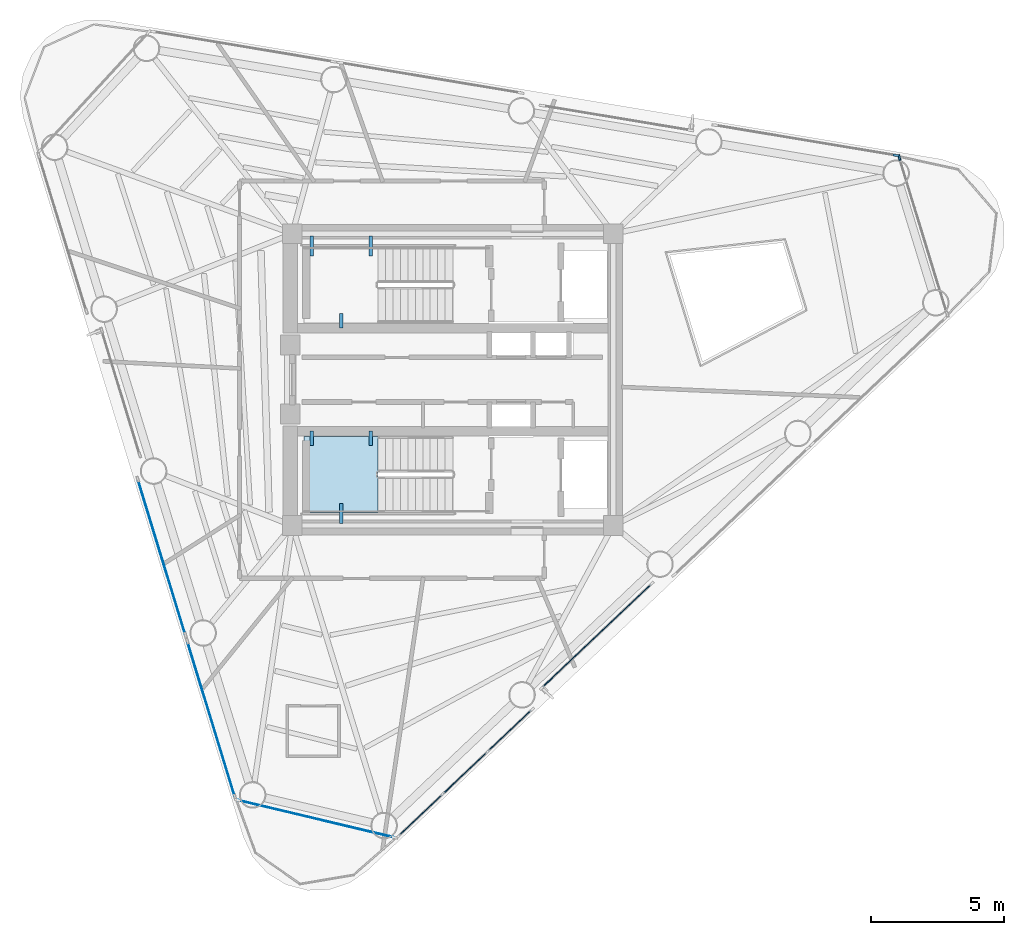
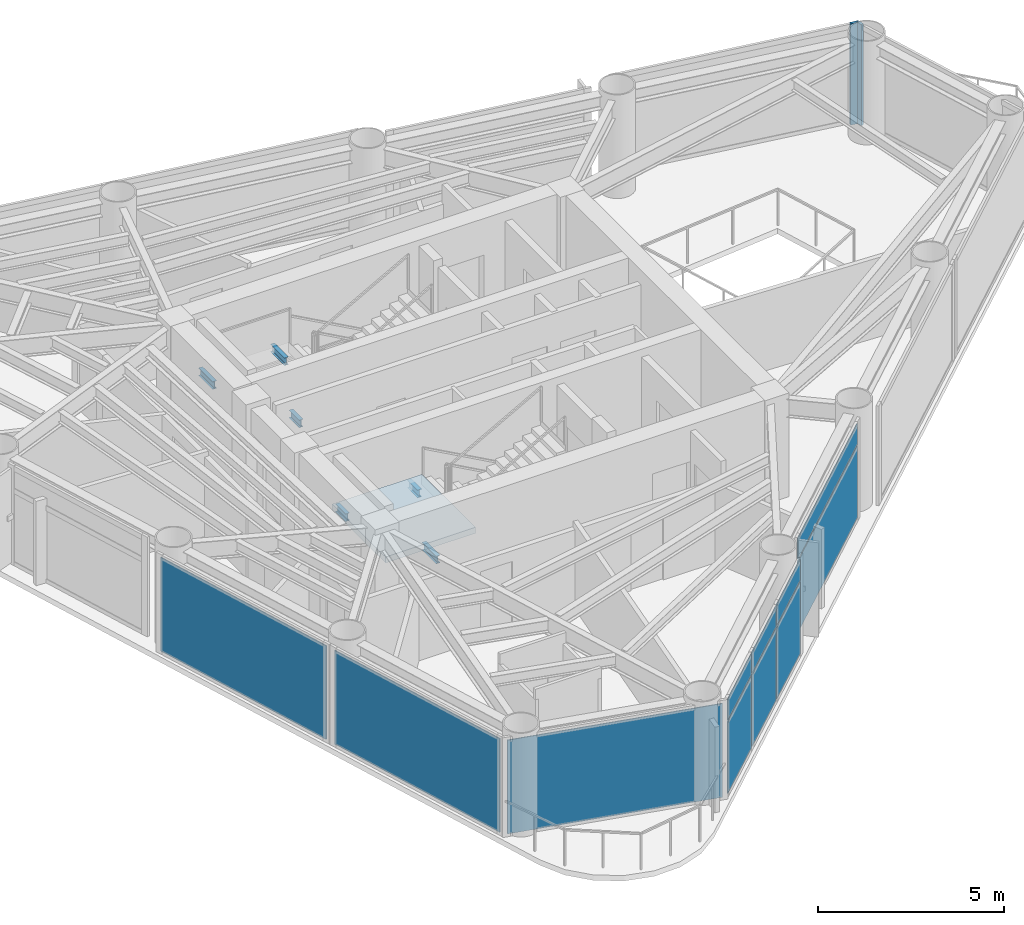
# One storey, part 4 of 9: 11 plates, 6 beams, 2 members, 1 slab, 8 elements without a shape of their own.
"""IFC4 building model written with IfcOpenShell, lengths in metres."""

import ifcopenshell
import ifcopenshell.guid

model = None  # the IFC model being written
_history = None  # IfcOwnerHistory: only IFC2X3 demands one
_inside = {}  # id of a spatial element -> (the spatial element, [elements in it])
_under = {}  # id of a project, library or spatial element -> (it, [spatial elements below it])
_declared = {}  # id of a project -> (the project, [libraries it declares])
_typed = {}  # id of a type object -> (the type object, [elements of that type])
_made_of = {}  # id of a material, layer set ... -> (it, [elements and type objects made of it])


def new_model(schema):
    """Start an empty IFC model of exactly this schema.

    Asked for "IFC4X3", IfcOpenShell would pick the latest addendum, in which some entities
    have other attributes; the version numbers below select the first issue.
    IFC2X3 requires an IfcOwnerHistory on every rooted entity: one is made here for all.
    """
    global model, _history
    if schema == "IFC4X3":
        model = ifcopenshell.file(schema_version=(4, 3, 0, 0))
    else:
        model = ifcopenshell.file(schema=schema)
    _inside.clear()
    _under.clear()
    _declared.clear()
    _typed.clear()
    _made_of.clear()
    _history = None
    if model.schema == "IFC2X3":
        org = make("IfcOrganization", Name="unknown")
        user = make(
            "IfcPersonAndOrganization",
            ThePerson=make("IfcPerson", FamilyName="unknown"),
            TheOrganization=org,
        )
        app = make(
            "IfcApplication",
            ApplicationDeveloper=org,
            Version="unknown",
            ApplicationFullName="unknown",
            ApplicationIdentifier="unknown",
        )
        _history = make(
            "IfcOwnerHistory",
            OwningUser=user,
            OwningApplication=app,
            ChangeAction="ADDED",
            CreationDate=0,
        )
    return model


def make(cls, **values):
    """One entity of the class cls with the attributes given. An attribute that is None is left unset."""
    return model.create_entity(
        cls, **{name: value for name, value in values.items() if value is not None}
    )


def rooted(cls, **values):
    """An entity with a GlobalId (a new one), such as an element, a storey or a relation."""
    return make(cls, GlobalId=ifcopenshell.guid.new(), OwnerHistory=_history, **values)


def si_unit(unit_type, name, prefix=None):
    """IfcSIUnit, for example si_unit("LENGTHUNIT", "METRE", prefix="MILLI")."""
    return make("IfcSIUnit", UnitType=unit_type, Prefix=prefix, Name=name)


def assignment(units):
    """IfcUnitAssignment: the units of a project."""
    return None if units is None else make("IfcUnitAssignment", Units=units)


def point(xyz):
    """IfcCartesianPoint."""
    return None if xyz is None else make("IfcCartesianPoint", Coordinates=xyz)


def direction(xyz):
    """IfcDirection."""
    return None if xyz is None else make("IfcDirection", DirectionRatios=xyz)


def frame(location, z_axis=None, x_axis=None):
    """IfcAxis2Placement3D, a coordinate frame: its origin and axes. An axis left out is left unset."""
    return make(
        "IfcAxis2Placement3D",
        Location=point(location),
        Axis=direction(z_axis),
        RefDirection=direction(x_axis),
    )


def frame_2d(location, x_axis=None):
    """IfcAxis2Placement2D, a coordinate frame in the plane: its origin and x axis."""
    return make(
        "IfcAxis2Placement2D", Location=point(location), RefDirection=direction(x_axis)
    )


def origin():
    """The frame at (0, 0, 0) with its axes left unset."""
    return frame((0.0, 0.0, 0.0))


def origin_2d():
    """The frame at (0, 0) in the plane with its x axis left unset."""
    return frame_2d((0.0, 0.0))


def place(relative_to, where):
    """IfcLocalPlacement: puts the frame where relative to a parent placement (None: the world)."""
    return make(
        "IfcLocalPlacement", PlacementRelTo=relative_to, RelativePlacement=where
    )


def context(
    kind, dimensions, precision=None, world=None, true_north=None, identifier=None
):
    """IfcGeometricRepresentationContext, for example the 3D "Model" context."""
    return make(
        "IfcGeometricRepresentationContext",
        ContextIdentifier=identifier,
        ContextType=kind,
        CoordinateSpaceDimension=dimensions,
        Precision=precision,
        WorldCoordinateSystem=world,
        TrueNorth=true_north,
    )


def subcontext(parent, identifier, kind, view, scale=None):
    """IfcGeometricRepresentationSubContext, for example "Body" below "Model"."""
    return make(
        "IfcGeometricRepresentationSubContext",
        ContextIdentifier=identifier,
        ContextType=kind,
        ParentContext=parent,
        TargetScale=scale,
        TargetView=view,
    )


def project(units=None, contexts=None):
    """IfcProject with its units and contexts."""
    return rooted(
        "IfcProject",
        Name="project",
        RepresentationContexts=contexts,
        UnitsInContext=assignment(units),
    )


def spatial(cls, under=None, at=None, **own):
    """A site, building, storey or space (cls), placed at a placement, below another one or the project."""
    s = rooted(cls, ObjectPlacement=at, **own)
    if under is not None:
        _under.setdefault(under.id(), (under, []))[1].append(s)
    return s


def polyline(points):
    """IfcPolyline through the points."""
    return make("IfcPolyline", Points=[point(p) for p in points])


def profile(cls, at=None, kind="AREA", **sizes):
    """A parametric profile (cls). Its sizes go by their IFC names, for example OverallWidth=200.0."""
    return make(cls, ProfileType=kind, Position=at, **sizes)


def rectangle(**sizes):
    """IfcRectangleProfileDef."""
    return profile("IfcRectangleProfileDef", **sizes)


def i_section(**sizes):
    """IfcIShapeProfileDef."""
    return profile("IfcIShapeProfileDef", **sizes)


def outline(outer, holes=None, kind="AREA"):
    """IfcArbitraryClosedProfileDef: a profile drawn as a closed curve; with holes, ...WithVoids."""
    if holes is None:
        return make("IfcArbitraryClosedProfileDef", ProfileType=kind, OuterCurve=outer)
    return make(
        "IfcArbitraryProfileDefWithVoids",
        ProfileType=kind,
        OuterCurve=outer,
        InnerCurves=holes,
    )


def extrude(swept, where, along, depth):
    """IfcExtrudedAreaSolid: the profile swept, set in the frame where, extruded along a direction by depth."""
    return make(
        "IfcExtrudedAreaSolid",
        SweptArea=swept,
        Position=where,
        ExtrudedDirection=direction(along),
        Depth=depth,
    )


def shape(context_of_items, identifier, shape_type, items):
    """IfcShapeRepresentation: the items that make up one representation, for example the "Body"."""
    return make(
        "IfcShapeRepresentation",
        ContextOfItems=context_of_items,
        RepresentationIdentifier=identifier,
        RepresentationType=shape_type,
        Items=items,
    )


def source(mapping_origin, context_of_items, identifier, shape_type, items):
    """IfcRepresentationMap: a shape defined once, which mapped items show again and again."""
    return make(
        "IfcRepresentationMap",
        MappingOrigin=mapping_origin,
        MappedRepresentation=shape(context_of_items, identifier, shape_type, items),
    )


def transform(
    local_origin,
    x_axis=None,
    y_axis=None,
    z_axis=None,
    scale=None,
    scale2=None,
    scale3=None,
    uniform=True,
):
    """IfcCartesianTransformationOperator3D, or its non-uniform kind. x_axis, y_axis, z_axis: its Axis1, 2, 3."""
    if uniform:
        return make(
            "IfcCartesianTransformationOperator3D",
            Axis1=direction(x_axis),
            Axis2=direction(y_axis),
            LocalOrigin=point(local_origin),
            Scale=scale,
            Axis3=direction(z_axis),
        )
    return make(
        "IfcCartesianTransformationOperator3DnonUniform",
        Axis1=direction(x_axis),
        Axis2=direction(y_axis),
        LocalOrigin=point(local_origin),
        Scale=scale,
        Axis3=direction(z_axis),
        Scale2=scale2,
        Scale3=scale3,
    )


def mapped(mapping_source, mapping_target):
    """IfcMappedItem: shows the shape of a source again, moved by a transform."""
    return make(
        "IfcMappedItem", MappingSource=mapping_source, MappingTarget=mapping_target
    )


def material(Name=None, Category=None):
    """IfcMaterial."""
    return make("IfcMaterial", Name=Name, Category=Category)


def layer(
    of_material, thickness, ventilated=None, Name=None, Category=None, Priority=None
):
    """IfcMaterialLayer: one layer of a wall or slab, of a material (None: an air gap)."""
    return make(
        "IfcMaterialLayer",
        Material=of_material,
        LayerThickness=thickness,
        IsVentilated=ventilated,
        Name=Name,
        Category=Category,
        Priority=Priority,
    )


def layer_set(layers, Name=None):
    """IfcMaterialLayerSet."""
    return make("IfcMaterialLayerSet", MaterialLayers=layers, LayerSetName=Name)


def material_profile(
    of_material, cross_section, Name=None, Category=None, Priority=None
):
    """IfcMaterialProfile: a cross section and its material."""
    return make(
        "IfcMaterialProfile",
        Name=Name,
        Material=of_material,
        Profile=cross_section,
        Priority=Priority,
        Category=Category,
    )


def profile_set(profiles, Name=None, composite=None):
    """IfcMaterialProfileSet."""
    return make(
        "IfcMaterialProfileSet",
        Name=Name,
        MaterialProfiles=profiles,
        CompositeProfile=composite,
    )


def made_of(thing, what):
    """Note that an element or type object is made of a material, layer set ...; save() writes the relation."""
    if what is not None:
        _made_of.setdefault(what.id(), (what, []))[1].append(thing)
    return thing


def type_object(cls, material=None, **own):
    """A type object (cls), such as IfcWallType, which elements share."""
    return made_of(rooted(cls, **own), material)


def element(
    cls,
    number,
    at=None,
    inside=None,
    cuts=None,
    type_object=None,
    material=None,
    context=None,
    identifier="Body",
    shape_type=None,
    held_by="IfcProductDefinitionShape",
    body=None,
    shapes=None,
    **own,
):
    """One element of the class cls, such as IfcWall. Its Tag is "e" and its number.

    at: its placement. inside: the storey or other place that contains it. cuts: it is an
    opening in that element (IfcRelVoidsElement). A single representation is given by context,
    identifier, shape_type and body (its items); several are given by shapes. held_by: the class
    of the entity that holds the representations. save() writes the other relations.
    """
    e = rooted(cls, Tag="e%d" % number, ObjectPlacement=at, **own)
    if body is not None:
        shapes = [shape(context, identifier, shape_type, body)]
    if shapes is not None:
        e.Representation = make(held_by, Representations=shapes)
    if inside is not None:
        _inside.setdefault(inside.id(), (inside, []))[1].append(e)
    if cuts is not None:
        rooted(
            "IfcRelVoidsElement", RelatingBuildingElement=cuts, RelatedOpeningElement=e
        )
    if type_object is not None:
        _typed.setdefault(type_object.id(), (type_object, []))[1].append(e)
    return made_of(e, material)


def aggregate(whole, parts):
    """IfcRelAggregates: a whole, such as a stair, and the parts it consists of."""
    return rooted("IfcRelAggregates", RelatingObject=whole, RelatedObjects=parts)


def save(model, path):
    """Write the relations noted so far, then the file.

    IfcRelAggregates (storeys below a building ...), IfcRelContainedInSpatialStructure (elements
    in a storey), IfcRelDefinesByType, IfcRelAssociatesMaterial and IfcRelDeclares: one each for
    every whole, place, type object, material and project.
    """
    for whole, parts in _under.values():
        aggregate(whole, parts)
    for where, things in _inside.values():
        rooted(
            "IfcRelContainedInSpatialStructure",
            RelatedElements=things,
            RelatingStructure=where,
        )
    for kind, things in _typed.values():
        rooted("IfcRelDefinesByType", RelatedObjects=things, RelatingType=kind)
    for what, things in _made_of.values():
        rooted("IfcRelAssociatesMaterial", RelatedObjects=things, RelatingMaterial=what)
    for by, libraries in _declared.values():
        rooted("IfcRelDeclares", RelatingContext=by, RelatedDefinitions=libraries)
    model.write(path)


model = new_model("IFC4")

# Units and contexts
model_context = context("Model", 3, precision=1e-05, world=origin(), true_north=direction((0.0, 1.0)))
body_context = subcontext(model_context, "Body", "Model", "MODEL_VIEW")
ifc_project = project(units=[si_unit("LENGTHUNIT", "METRE"), si_unit("AREAUNIT", "SQUARE_METRE"), si_unit("VOLUMEUNIT", "CUBIC_METRE"), si_unit("PLANEANGLEUNIT", "RADIAN"), si_unit("MASSUNIT", "GRAM", prefix="KILO")], contexts=[model_context])

# Site, building, storey
site_placement = place(None, origin())
site = spatial("IfcSite", under=ifc_project, at=site_placement, CompositionType="ELEMENT")
building_placement = place(site_placement, origin())
building = spatial("IfcBuilding", under=site, at=building_placement, Name="Yunling Apex Tower", CompositionType="ELEMENT")
storey_placement = place(building_placement, frame((0.0, 0.0, 232.050048828125)))
storey = spatial("IfcBuildingStorey", under=building, at=storey_placement, Name="L56", CompositionType="ELEMENT", Elevation=232.050048828125)

# Beams
ifc_material_1 = material(Name="Steel Q355B", Category="steel")
ifc_material_profile_1 = material_profile(ifc_material_1, i_section(OverallWidth=0.125, OverallDepth=0.25, WebThickness=0.006103515625, FlangeThickness=0.009033203125, FilletRadius=0.011962890625, at=origin_2d()))
ifc_profile_set_1 = profile_set([ifc_material_profile_1], Name="Steel Q355B")
beam_type = type_object("IfcBeamType", Name="BL-LNT-1", PredefinedType="LINTEL", material=ifc_profile_set_1)
shared_shape_1 = source(origin(), body_context, "Body", "SweptSolid", [
    extrude(i_section(OverallWidth=0.125, OverallDepth=0.25, WebThickness=0.006103515625, FlangeThickness=0.009033203125, FilletRadius=0.011962890625, at=origin_2d()), origin(), (0.0, 0.0, 1.0), 0.760009765625),
])
for number, where, z_axis, x_axis, name in (
    (1, (-5.320068359375, 5.419921875, 1.3798828125), (0.0, -1.0, 0.0), (1.0, 0.0, 0.0), "L56 ST-1 Landing Bearing Corbel 1-1"),
    (2, (-3.090087890625, 5.419921875, 1.3798828125), (0.0, -1.0, 0.0), (1.0, 0.0, 0.0), "L56 ST-1 Landing Bearing Corbel 1-2"),
    (3, (-4.205078125, -5.419921875, 1.3798828125), (0.0, 1.0, 0.0), (-1.0, 0.0, 0.0), "L56 ST-2 Landing Bearing Corbel 1-3"),
):
    element("IfcBeam", number, at=place(storey_placement, frame(where, z_axis=z_axis, x_axis=x_axis)), inside=storey, type_object=beam_type, Name=name, PredefinedType="LINTEL", context=body_context, shape_type="MappedRepresentation", body=[
        mapped(shared_shape_1, transform((0.0, 0.0, 0.0), scale=1.0)),
    ])
shared_shape_2 = source(origin(), body_context, "Body", "SweptSolid", [
    extrude(i_section(OverallWidth=0.125, OverallDepth=0.25, WebThickness=0.006103515625, FlangeThickness=0.009033203125, FilletRadius=0.011962890625, at=origin_2d()), origin(), (0.0, 0.0, 1.0), 0.550048828125),
])
for number, where, z_axis, x_axis, name in (
    (4, (-4.205078125, 1.93994140625, 1.3798828125), (0.0, 1.0, 0.0), (-1.0, 0.0, 0.0), "L56 ST-1 Landing Bearing Corbel 1-3"),
    (5, (-5.320068359375, -1.93994140625, 1.3798828125), (0.0, -1.0, 0.0), (1.0, 0.0, 0.0), "L56 ST-2 Landing Bearing Corbel 1-1"),
    (6, (-3.090087890625, -1.93994140625, 1.3798828125), (0.0, -1.0, 0.0), (1.0, 0.0, 0.0), "L56 ST-2 Landing Bearing Corbel 1-2"),
):
    element("IfcBeam", number, at=place(storey_placement, frame(where, z_axis=z_axis, x_axis=x_axis)), inside=storey, type_object=beam_type, Name=name, PredefinedType="LINTEL", context=body_context, shape_type="MappedRepresentation", body=[
        mapped(shared_shape_2, transform((0.0, 0.0, 0.0), scale=1.0)),
    ])

# Curtain wall, member
ifc_material_2 = material(Name="Bronze anodised aluminium", Category="aluminium")
ifc_layer_1 = layer(ifc_material_2, 0.219970703125)
ifc_layer_set_1 = layer_set([ifc_layer_1], Name="Bronze anodised aluminium")
curtain_wall_type = type_object("IfcCurtainWallType", Name="CW-SYS-4", PredefinedType="NOTDEFINED", material=ifc_layer_set_1)
curtain_wall_1_placement = place(storey_placement, origin())
curtain_wall_1 = element("IfcCurtainWall", 7, at=curtain_wall_1_placement, inside=storey, type_object=curtain_wall_type, Name="CW-L56-CRN1", PredefinedType="NOTDEFINED")
ifc_material_profile_2 = material_profile(ifc_material_2, rectangle(XDim=0.080078125, YDim=0.219970703125, at=origin_2d()))
ifc_profile_set_2 = profile_set([ifc_material_profile_2], Name="Bronze anodised aluminium")
member_type = type_object("IfcMemberType", Name="CW-MUL-4", PredefinedType="MULLION", material=ifc_profile_set_2)
shared_shape_3 = source(origin(), body_context, "Body", "SweptSolid", [
    extrude(rectangle(XDim=0.080078125, YDim=0.219970703125, at=origin_2d()), origin(), (0.0, 0.0, 1.0), 3.320068359375),
])
member_1_placement = place(storey_placement, frame((16.8291015625, 8.37255859375, -0.050048828125), z_axis=(0.0, 0.0, 1.0), x_axis=(-0.956305498685, -0.292369275379, 0.0)))
member_1 = element("IfcMember", 8, at=member_1_placement, type_object=member_type, Name="CW-SYS-4 mullion 2", PredefinedType="MULLION", context=body_context, shape_type="MappedRepresentation", body=[
    mapped(shared_shape_3, transform((0.0, 0.0, 0.0), scale=1.0)),
])
aggregate(curtain_wall_1, [member_1])

curtain_wall_2_placement = place(storey_placement, origin())
curtain_wall_2 = element("IfcCurtainWall", 9, at=curtain_wall_2_placement, inside=storey, type_object=curtain_wall_type, Name="CW-L56-F2-B1", PredefinedType="NOTDEFINED")
member_2_placement = place(storey_placement, frame((16.702392578125, 8.4501953125, -0.050048828125), z_axis=(0.0, 0.0, 1.0), x_axis=(-0.164352664392, -0.9864016432, 0.0)))
member_2 = element("IfcMember", 10, at=member_2_placement, type_object=member_type, Name="CW-SYS-4 mullion 1", PredefinedType="MULLION", context=body_context, shape_type="MappedRepresentation", body=[
    mapped(shared_shape_3, transform((0.0, 0.0, 0.0), scale=1.0)),
])
aggregate(curtain_wall_2, [member_2])

# Stair, slab
ifc_material_3 = material(Name="Concrete C40", Category="concrete")
stair_type = type_object("IfcStairType", Name="ST-TWR-3", PredefinedType="HALF_TURN_STAIR", material=ifc_material_3)
stair_placement = place(storey_placement, origin())
stair = element("IfcStair", 11, at=stair_placement, inside=storey, type_object=stair_type, Name="L56 South Core Smokeproof Exit Stair ST-2", PredefinedType="HALF_TURN_STAIR")
ifc_layer_2 = layer(ifc_material_3, 0.195068359375)
ifc_layer_set_2 = layer_set([ifc_layer_2], Name="Concrete C40")
slab_type = type_object("IfcSlabType", Name="SL-LND-1", PredefinedType="LANDING", material=ifc_layer_set_2)
slab_placement = place(storey_placement, frame((0.0, 0.0, 1.5048828125)))
slab = element("IfcSlab", 12, at=slab_placement, type_object=slab_type, Name="ST-2 landing 1", PredefinedType="LANDING", context=body_context, shape_type="SweptSolid", body=[
    extrude(outline(polyline([(-2.81005859375, -2.139892578125), (-5.60009765625, -2.139892578125), (-5.60009765625, -5.010009765625), (-2.81005859375, -5.010009765625), (-2.81005859375, -2.139892578125)])), origin(), (0.0, 0.0, 1.0), 0.195068359375),
])
aggregate(stair, [slab])

# Curtain wall, plates
curtain_wall_3_placement = place(storey_placement, origin())
curtain_wall_3 = element("IfcCurtainWall", 13, at=curtain_wall_3_placement, inside=storey, type_object=curtain_wall_type, Name="CW-L56-F1-B1", PredefinedType="NOTDEFINED")
ifc_material_4 = material(Name="Bronze tinted low-E glass", Category="glass")
ifc_layer_3 = layer(ifc_material_4, 0.030029296875)
ifc_layer_set_3 = layer_set([ifc_layer_3], Name="Bronze tinted low-E glass")
plate_type = type_object("IfcPlateType", Name="CW-PNL-4", PredefinedType="CURTAIN_PANEL", material=ifc_layer_set_3)
shared_shape_4 = source(origin(), body_context, "Body", "SweptSolid", [
    extrude(rectangle(XDim=2.229736328125, YDim=0.030029296875, at=origin_2d()), origin(), (0.0, 0.0, 1.0), 2.34326171875),
])
plate_1_placement = place(storey_placement, frame((-1.2138671875, -16.41552734375, 0.072021484375), z_axis=(0.0, 0.0, 1.0), x_axis=(0.72585471909, 0.687848040467, 0.0)))
plate_1 = element("IfcPlate", 14, at=plate_1_placement, type_object=plate_type, Name="CW-SYS-4 panel 1.1", PredefinedType="CURTAIN_PANEL", context=body_context, shape_type="MappedRepresentation", body=[
    mapped(shared_shape_4, transform((0.0, 0.0, 0.0), scale=1.0)),
])
plate_2_placement = place(storey_placement, frame((2.145263671875, -13.232421875, 0.072021484375), z_axis=(0.0, 0.0, 1.0), x_axis=(0.72585471909, 0.687848040467, 0.0)))
plate_2 = element("IfcPlate", 15, at=plate_2_placement, type_object=plate_type, Name="CW-SYS-4 panel 3.1", PredefinedType="CURTAIN_PANEL", context=body_context, shape_type="MappedRepresentation", body=[
    mapped(shared_shape_4, transform((0.0, 0.0, 0.0), scale=1.0)),
])
shared_shape_5 = source(origin(), body_context, "Body", "SweptSolid", [
    extrude(rectangle(XDim=2.229736328125, YDim=0.030029296875, at=origin_2d()), origin(), (0.0, 0.0, 1.0), 0.668701171875),
])
plate_3_placement = place(storey_placement, frame((-1.2138671875, -16.41552734375, 2.47900390625), z_axis=(0.0, 0.0, 1.0), x_axis=(0.72585471909, 0.687848040467, 0.0)))
plate_3 = element("IfcPlate", 16, at=plate_3_placement, type_object=plate_type, Name="CW-SYS-4 panel 1.2", PredefinedType="CURTAIN_PANEL", context=body_context, shape_type="MappedRepresentation", body=[
    mapped(shared_shape_5, transform((0.0, 0.0, 0.0), scale=1.0)),
])
plate_4_placement = place(storey_placement, frame((2.145263671875, -13.232421875, 2.47900390625), z_axis=(0.0, 0.0, 1.0), x_axis=(0.72585471909, 0.687848040467, 0.0)))
plate_4 = element("IfcPlate", 17, at=plate_4_placement, type_object=plate_type, Name="CW-SYS-4 panel 3.2", PredefinedType="CURTAIN_PANEL", context=body_context, shape_type="MappedRepresentation", body=[
    mapped(shared_shape_5, transform((0.0, 0.0, 0.0), scale=1.0)),
])
shared_shape_6 = source(origin(), body_context, "Body", "SweptSolid", [
    extrude(rectangle(XDim=2.269775390625, YDim=0.030029296875, at=origin_2d()), origin(), (0.0, 0.0, 1.0), 2.34326171875),
])
plate_5_placement = place(storey_placement, frame((0.4658203125, -14.823974609375, 0.072021484375), z_axis=(0.0, 0.0, 1.0), x_axis=(0.72585471909, 0.687848040467, 0.0)))
plate_5 = element("IfcPlate", 18, at=plate_5_placement, type_object=plate_type, Name="CW-SYS-4 panel 2.1", PredefinedType="CURTAIN_PANEL", context=body_context, shape_type="MappedRepresentation", body=[
    mapped(shared_shape_6, transform((0.0, 0.0, 0.0), scale=1.0)),
])
shared_shape_7 = source(origin(), body_context, "Body", "SweptSolid", [
    extrude(rectangle(XDim=2.269775390625, YDim=0.030029296875, at=origin_2d()), origin(), (0.0, 0.0, 1.0), 0.668701171875),
])
plate_6_placement = place(storey_placement, frame((0.4658203125, -14.823974609375, 2.47900390625), z_axis=(0.0, 0.0, 1.0), x_axis=(0.72585471909, 0.687848040467, 0.0)))
plate_6 = element("IfcPlate", 19, at=plate_6_placement, type_object=plate_type, Name="CW-SYS-4 panel 2.2", PredefinedType="CURTAIN_PANEL", context=body_context, shape_type="MappedRepresentation", body=[
    mapped(shared_shape_7, transform((0.0, 0.0, 0.0), scale=1.0)),
])
aggregate(curtain_wall_3, [plate_1, plate_3, plate_5, plate_6, plate_2, plate_4])

curtain_wall_4_placement = place(storey_placement, origin())
curtain_wall_4 = element("IfcCurtainWall", 20, at=curtain_wall_4_placement, inside=storey, type_object=curtain_wall_type, Name="CW-L56-F1-B2", PredefinedType="NOTDEFINED")
shared_shape_8 = source(origin(), body_context, "Body", "SweptSolid", [
    extrude(rectangle(XDim=5.617431640625, YDim=0.030029296875, at=origin_2d()), origin(), (0.0, 0.0, 1.0), 2.34326171875),
])
plate_7_placement = place(storey_placement, frame((5.429931640625, -9.651123046875, 0.072021484375), z_axis=(0.0, 0.0, 1.0), x_axis=(0.725848686167, 0.687854406681, 0.0)))
plate_7 = element("IfcPlate", 21, at=plate_7_placement, type_object=plate_type, Name="CW-SYS-4 panel 1.1", PredefinedType="CURTAIN_PANEL", context=body_context, shape_type="MappedRepresentation", body=[
    mapped(shared_shape_8, transform((0.0, 0.0, 0.0), scale=1.0)),
])
shared_shape_9 = source(origin(), body_context, "Body", "SweptSolid", [
    extrude(rectangle(XDim=5.617431640625, YDim=0.030029296875, at=origin_2d()), origin(), (0.0, 0.0, 1.0), 0.668701171875),
])
plate_8_placement = place(storey_placement, frame((5.429931640625, -9.651123046875, 2.47900390625), z_axis=(0.0, 0.0, 1.0), x_axis=(0.725848686167, 0.687854406681, 0.0)))
plate_8 = element("IfcPlate", 22, at=plate_8_placement, type_object=plate_type, Name="CW-SYS-4 panel 1.2", PredefinedType="CURTAIN_PANEL", context=body_context, shape_type="MappedRepresentation", body=[
    mapped(shared_shape_9, transform((0.0, 0.0, 0.0), scale=1.0)),
])
aggregate(curtain_wall_4, [plate_7, plate_8])

# Curtain wall, plate
curtain_wall_5_placement = place(storey_placement, origin())
curtain_wall_5 = element("IfcCurtainWall", 23, at=curtain_wall_5_placement, inside=storey, type_object=curtain_wall_type, Name="CW-L56-F3-B3", PredefinedType="NOTDEFINED")
shared_shape_10 = source(origin(), body_context, "Body", "SweptSolid", [
    extrude(rectangle(XDim=6.077880859375, YDim=0.030029296875, at=origin_2d()), origin(), (0.0, 0.0, 1.0), 3.075927734375),
])
plate_9_placement = place(storey_placement, frame((-10.973876953125, -6.69189453125, 0.07177734375), z_axis=(0.0, 0.0, 1.0), x_axis=(0.29237206414, -0.956304646078, 0.0)))
plate_9 = element("IfcPlate", 24, at=plate_9_placement, type_object=plate_type, Name="CW-SYS-4 panel 1.1", PredefinedType="CURTAIN_PANEL", context=body_context, shape_type="MappedRepresentation", body=[
    mapped(shared_shape_10, transform((0.0, 0.0, 0.0), scale=1.0)),
])
aggregate(curtain_wall_5, [plate_9])

curtain_wall_6_placement = place(storey_placement, origin())
curtain_wall_6 = element("IfcCurtainWall", 25, at=curtain_wall_6_placement, inside=storey, type_object=curtain_wall_type, Name="CW-L56-F3-B4", PredefinedType="NOTDEFINED")
plate_10_placement = place(storey_placement, frame((-9.108154296875, -12.794921875, 0.07177734375), z_axis=(0.0, 0.0, 1.0), x_axis=(0.29237206414, -0.956304646078, 0.0)))
plate_10 = element("IfcPlate", 26, at=plate_10_placement, type_object=plate_type, Name="CW-SYS-4 panel 1.1", PredefinedType="CURTAIN_PANEL", context=body_context, shape_type="MappedRepresentation", body=[
    mapped(shared_shape_10, transform((0.0, 0.0, 0.0), scale=1.0)),
])
aggregate(curtain_wall_6, [plate_10])

curtain_wall_7_placement = place(storey_placement, origin())
curtain_wall_7 = element("IfcCurtainWall", 27, at=curtain_wall_7_placement, inside=storey, type_object=curtain_wall_type, Name="CW-L56-CRN3", PredefinedType="NOTDEFINED")
shared_shape_11 = source(origin(), body_context, "Body", "SweptSolid", [
    extrude(rectangle(XDim=6.032958984375, YDim=0.030029296875, at=origin_2d()), origin(), (0.0, 0.0, 1.0), 3.075927734375),
])
plate_11_placement = place(storey_placement, frame((-5.151611328125, -16.556396484375, 0.07177734375), z_axis=(0.0, 0.0, 1.0), x_axis=(0.97276120775, -0.231809474992, 0.0)))
plate_11 = element("IfcPlate", 28, at=plate_11_placement, type_object=plate_type, Name="CW-SYS-4 panel 1.1", PredefinedType="CURTAIN_PANEL", context=body_context, shape_type="MappedRepresentation", body=[
    mapped(shared_shape_11, transform((0.0, 0.0, 0.0), scale=1.0)),
])
aggregate(curtain_wall_7, [plate_11])

save(model, "model.ifc")
